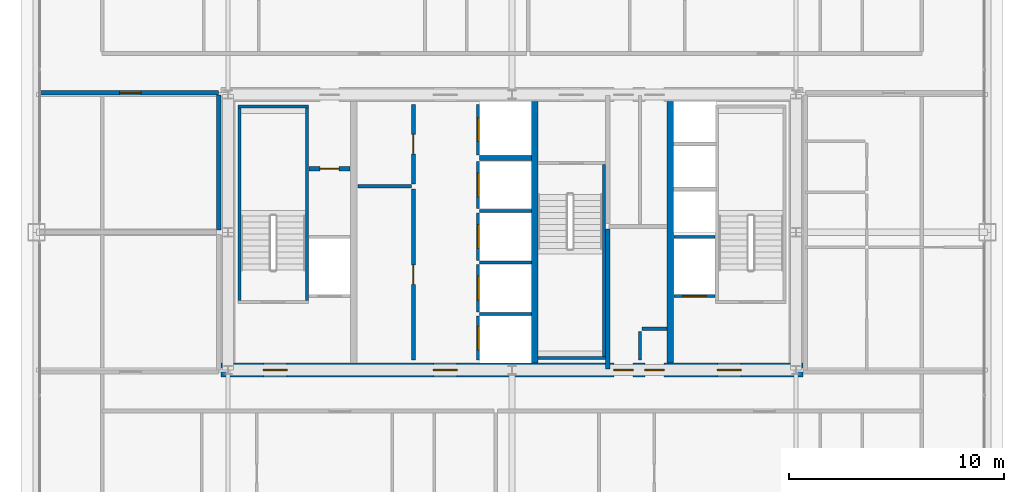
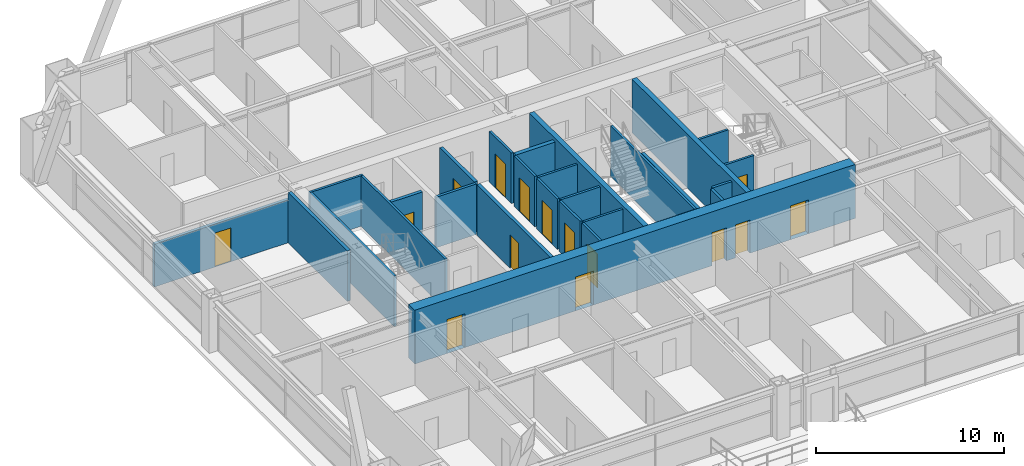
# One storey, part 41 of 45: 28 walls, 15 doors, 15 openings.
"""IFC4 building model written with IfcOpenShell, lengths in metres."""

from ifc_helpers import new_model, si_unit, direction, frame, frame_2d, origin, place, context, subcontext, project, spatial, rectangle, extrude, source, transform, mapped, material, layer, layer_set, type_object, element, fill, save


model = new_model("IFC4")

# Units and contexts
model_context = context("Model", 3, precision=1e-05, world=origin(), true_north=direction((0.0, 1.0)))
body_context = subcontext(model_context, "Body", "Model", "MODEL_VIEW")
ifc_project = project(units=[si_unit("LENGTHUNIT", "METRE"), si_unit("AREAUNIT", "SQUARE_METRE"), si_unit("VOLUMEUNIT", "CUBIC_METRE"), si_unit("PLANEANGLEUNIT", "RADIAN"), si_unit("MASSUNIT", "GRAM", prefix="KILO"), si_unit("THERMODYNAMICTEMPERATUREUNIT", "KELVIN"), si_unit("POWERUNIT", "WATT")], contexts=[model_context])

# Site, building, storey
site_placement = place(None, origin())
site = spatial("IfcSite", under=ifc_project, at=site_placement, CompositionType="ELEMENT")
building_placement = place(site_placement, origin())
building = spatial("IfcBuilding", under=site, at=building_placement, Name="Yuzanri Waterfront Tower", CompositionType="ELEMENT")
storey_placement = place(building_placement, frame((0.0, 0.0, 198.5)))
storey = spatial("IfcBuildingStorey", under=building, at=storey_placement, Name="L52", CompositionType="ELEMENT", Elevation=198.5)

# Wall, openings, doors
ifc_material_1 = material(Name="Concrete C50", Category="concrete")
ifc_layer_1 = layer(ifc_material_1, 0.64990234375)
ifc_layer_set_1 = layer_set([ifc_layer_1], Name="Concrete C50")
wall_type_1 = type_object("IfcWallType", Name="Concrete C50 Mid Zone Core Shear Wall 650", PredefinedType="SHEAR", material=ifc_layer_set_1)
wall_1_placement = place(storey_placement, frame((23.47509765625, 19.39990234375, 0.0), z_axis=(0.0, 0.0, 1.0), x_axis=(1.0, 0.0, 0.0)))
wall_1 = element("IfcWall", 1, at=wall_1_placement, inside=storey, type_object=wall_type_1, Name="L52 Core South Shear Wall", PredefinedType="SHEAR", context=body_context, shape_type="SweptSolid", body=[
    extrude(rectangle(XDim=27.0498046875, YDim=0.64990234375, at=frame_2d((13.52490234375, 0.0))), origin(), (0.0, 0.0, 1.0), 3.5),
])
opening_1_placement = place(wall_1_placement, frame((1.97509765625, 0.0, 0.0)))
opening_1 = element("IfcOpeningElement", 2, at=opening_1_placement, cuts=wall_1, Name="Opening FD-1100", PredefinedType="OPENING", context=body_context, shape_type="SweptSolid", body=[
    extrude(rectangle(XDim=1.10009765625, YDim=2.199951171875, at=frame_2d((0.550048828125, 1.10009765625))), frame((0.0, 0.33984375, 0.0), z_axis=(0.0, -1.0, 0.0), x_axis=(1.0, 0.0, 0.0)), (0.0, 0.0, 1.0), 0.6796875),
])
opening_2_placement = place(wall_1_placement, frame((9.875, 0.0, 0.0)))
opening_2 = element("IfcOpeningElement", 3, at=opening_2_placement, cuts=wall_1, Name="Opening FD-1100", PredefinedType="OPENING", context=body_context, shape_type="SweptSolid", body=[
    extrude(rectangle(XDim=1.10009765625, YDim=2.199951171875, at=frame_2d((0.550048828125, 1.10009765625))), frame((0.0, 0.33984375, 0.0), z_axis=(0.0, -1.0, 0.0), x_axis=(1.0, 0.0, 0.0)), (0.0, 0.0, 1.0), 0.6796875),
])
opening_3_placement = place(wall_1_placement, frame((23.074951171875, 0.0, 0.0)))
opening_3 = element("IfcOpeningElement", 4, at=opening_3_placement, cuts=wall_1, Name="Opening FD-1100", PredefinedType="OPENING", context=body_context, shape_type="SweptSolid", body=[
    extrude(rectangle(XDim=1.10009765625, YDim=2.199951171875, at=frame_2d((0.550048828125, 1.10009765625))), frame((0.0, 0.33984375, 0.0), z_axis=(0.0, -1.0, 0.0), x_axis=(1.0, 0.0, 0.0)), (0.0, 0.0, 1.0), 0.6796875),
])
opening_4_placement = place(wall_1_placement, frame((19.695068359375, 0.0, 0.0)))
opening_4 = element("IfcOpeningElement", 5, at=opening_4_placement, cuts=wall_1, Name="Opening FD-0900", PredefinedType="OPENING", context=body_context, shape_type="SweptSolid", body=[
    extrude(rectangle(XDim=0.89990234375, YDim=2.14990234375, at=frame_2d((0.449951171875, 1.074951171875))), frame((0.0, 0.33984375, 0.0), z_axis=(0.0, -1.0, 0.0), x_axis=(1.0, 0.0, 0.0)), (0.0, 0.0, 1.0), 0.6796875),
])
opening_5_placement = place(wall_1_placement, frame((18.2548828125, 0.0, 0.0)))
opening_5 = element("IfcOpeningElement", 6, at=opening_5_placement, cuts=wall_1, Name="Opening FD-0900", PredefinedType="OPENING", context=body_context, shape_type="SweptSolid", body=[
    extrude(rectangle(XDim=0.89990234375, YDim=2.14990234375, at=frame_2d((0.449951171875, 1.074951171875))), frame((0.0, 0.33984375, 0.0), z_axis=(0.0, -1.0, 0.0), x_axis=(1.0, 0.0, 0.0)), (0.0, 0.0, 1.0), 0.6796875),
])
ifc_material_2 = material(Name="Painted Galvanized Fire Steel", Category="steel")
door_type_1 = type_object("IfcDoorType", Name="Smoke-Proof Stair and Lobby Fire Door 1100x2200", OperationType="NOTDEFINED", PredefinedType="DOOR", material=ifc_material_2)
shared_shape_1 = source(origin(), body_context, "Body", "SweptSolid", [
    extrude(rectangle(XDim=1.10009765625, YDim=2.199951171875, at=frame_2d((0.550048828125, 1.10009765625))), frame((0.0, 0.02490234375, 0.0), z_axis=(0.0, -1.0, 0.0), x_axis=(1.0, 0.0, 0.0)), (0.0, 0.0, 1.0), 0.050048828125),
])
door_1_placement = place(opening_1_placement, origin())
door_1 = element("IfcDoor", 7, at=door_1_placement, inside=storey, type_object=door_type_1, Name="L52 West Firefighting Lobby Door", OperationType="SINGLE_SWING_LEFT", OverallHeight=2.199951171875, OverallWidth=1.10009765625, PredefinedType="DOOR", context=body_context, shape_type="MappedRepresentation", body=[
    mapped(shared_shape_1, transform((0.0, 0.0, 0.0), scale=1.0)),
])
fill(opening_1, door_1)
door_2_placement = place(opening_2_placement, origin())
door_2 = element("IfcDoor", 8, at=door_2_placement, inside=storey, type_object=door_type_1, Name="L52 Central Lift Lobby South Door", OperationType="SINGLE_SWING_RIGHT", OverallHeight=2.199951171875, OverallWidth=1.10009765625, PredefinedType="DOOR", context=body_context, shape_type="MappedRepresentation", body=[
    mapped(shared_shape_1, transform((0.0, 0.0, 0.0), scale=1.0)),
])
fill(opening_2, door_2)
door_3_placement = place(opening_3_placement, origin())
door_3 = element("IfcDoor", 9, at=door_3_placement, inside=storey, type_object=door_type_1, Name="L52 East Firefighting Lobby Door", OperationType="SINGLE_SWING_LEFT", OverallHeight=2.199951171875, OverallWidth=1.10009765625, PredefinedType="DOOR", context=body_context, shape_type="MappedRepresentation", body=[
    mapped(shared_shape_1, transform((0.0, 0.0, 0.0), scale=1.0)),
])
fill(opening_3, door_3)
ifc_material_3 = material(Name="Painted Galvanized Fire Steel", Category="steel")
door_type_2 = type_object("IfcDoorType", Name="Riser and Service Room Fire Door 900x2150", OperationType="NOTDEFINED", PredefinedType="DOOR", material=ifc_material_3)
shared_shape_2 = source(origin(), body_context, "Body", "SweptSolid", [
    extrude(rectangle(XDim=0.89990234375, YDim=2.14990234375, at=frame_2d((0.449951171875, 1.074951171875))), frame((0.0, 0.02490234375, 0.0), z_axis=(0.0, -1.0, 0.0), x_axis=(1.0, 0.0, 0.0)), (0.0, 0.0, 1.0), 0.050048828125),
])
door_4_placement = place(opening_4_placement, origin())
door_4 = element("IfcDoor", 10, at=door_4_placement, inside=storey, type_object=door_type_2, Name="L52 East Wet Riser Door", OperationType="SINGLE_SWING_RIGHT", OverallHeight=2.14990234375, OverallWidth=0.89990234375, PredefinedType="DOOR", context=body_context, shape_type="MappedRepresentation", body=[
    mapped(shared_shape_2, transform((0.0, 0.0, 0.0), scale=1.0)),
])
fill(opening_4, door_4)
door_5_placement = place(opening_5_placement, origin())
door_5 = element("IfcDoor", 11, at=door_5_placement, inside=storey, type_object=door_type_2, Name="L52 Cleaners Store Room", OperationType="SINGLE_SWING_LEFT", OverallHeight=2.14990234375, OverallWidth=0.89990234375, PredefinedType="DOOR", context=body_context, shape_type="MappedRepresentation", body=[
    mapped(shared_shape_2, transform((0.0, 0.0, 0.0), scale=1.0)),
])
fill(opening_5, door_5)

# Wall, opening, door
ifc_material_4 = material(Name="Concrete C40", Category="concrete")
ifc_layer_2 = layer(ifc_material_4, 0.139892578125)
ifc_layer_set_2 = layer_set([ifc_layer_2], Name="Concrete C40")
wall_type_2 = type_object("IfcWallType", Name="Core Stair Liner and Hoistway Shaft Wall 140", PredefinedType="SOLIDWALL", material=ifc_layer_set_2)
wall_2_placement = place(storey_placement, frame((44.52001953125, 22.830078125, 0.0), z_axis=(0.0, 0.0, 1.0), x_axis=(1.0, 0.0, 0.0)))
wall_2 = element("IfcWall", 12, at=wall_2_placement, inside=storey, type_object=wall_type_2, Name="L52 Lift FL-02 Front Shaft Wall", PredefinedType="SOLIDWALL", context=body_context, shape_type="SweptSolid", body=[
    extrude(rectangle(XDim=1.919921875, YDim=0.139892578125, at=frame_2d((0.9599609375, 0.0))), origin(), (0.0, 0.0, 1.0), 3.280029296875),
])
opening_6_placement = place(wall_2_placement, frame((0.409912109375, 0.0, 0.0)))
opening_6 = element("IfcOpeningElement", 13, at=opening_6_placement, cuts=wall_2, Name="Opening LD-FL-02", PredefinedType="OPENING", context=body_context, shape_type="SweptSolid", body=[
    extrude(rectangle(XDim=1.10009765625, YDim=2.199951171875, at=frame_2d((0.550048828125, 1.10009765625))), frame((0.0, 0.0849609375, 0.0), z_axis=(0.0, -1.0, 0.0), x_axis=(1.0, 0.0, 0.0)), (0.0, 0.0, 1.0), 0.169677734375),
])
ifc_material_5 = material(Name="Brushed Bronze and Stainless Steel Cab", Category="steel")
door_type_3 = type_object("IfcDoorType", Name="Center-Parting Bronze Lift Landing Sliding Door 1100x2200", OperationType="NOTDEFINED", PredefinedType="DOOR", material=ifc_material_5)
shared_shape_3 = source(origin(), body_context, "Body", "SweptSolid", [
    extrude(rectangle(XDim=1.10009765625, YDim=2.199951171875, at=frame_2d((0.550048828125, 1.10009765625))), frame((0.0, 0.02490234375, 0.0), z_axis=(0.0, -1.0, 0.0), x_axis=(1.0, 0.0, 0.0)), (0.0, 0.0, 1.0), 0.050048828125),
])
door_6_placement = place(opening_6_placement, origin())
door_6 = element("IfcDoor", 14, at=door_6_placement, inside=storey, type_object=door_type_3, Name="L52 FL-02 Lift Landing Sliding Door", OperationType="SLIDING_TO_RIGHT", OverallHeight=2.199951171875, OverallWidth=1.10009765625, PredefinedType="DOOR", context=body_context, shape_type="MappedRepresentation", body=[
    mapped(shared_shape_3, transform((0.0, 0.0, 0.0), scale=1.0)),
])
fill(opening_6, door_6)

wall_3_placement = place(storey_placement, frame((35.429931640625, 19.860107421875, 0.0), z_axis=(0.0, 0.0, 1.0), x_axis=(0.0, 1.0, 0.0)))
wall_3 = element("IfcWall", 15, at=wall_3_placement, inside=storey, type_object=wall_type_2, Name="L52 Lift PL-05 Front Shaft Wall", PredefinedType="SOLIDWALL", context=body_context, shape_type="SweptSolid", body=[
    extrude(rectangle(XDim=2.039794921875, YDim=0.139892578125, at=frame_2d((1.02001953125, 0.0))), origin(), (0.0, 0.0, 1.0), 3.280029296875),
])
opening_7_placement = place(wall_3_placement, frame((0.469970703125, 0.0, 0.0)))
opening_7 = element("IfcOpeningElement", 16, at=opening_7_placement, cuts=wall_3, Name="Opening LD-PL-05", PredefinedType="OPENING", context=body_context, shape_type="SweptSolid", body=[
    extrude(rectangle(XDim=1.10009765625, YDim=2.199951171875, at=frame_2d((0.550048828125, 1.10009765625))), frame((0.0, 0.0849609375, 0.0), z_axis=(0.0, -1.0, 0.0), x_axis=(1.0, 0.0, 0.0)), (0.0, 0.0, 1.0), 0.169677734375),
])
door_7_placement = place(opening_7_placement, origin())
door_7 = element("IfcDoor", 17, at=door_7_placement, inside=storey, type_object=door_type_3, Name="L52 PL-05 Lift Landing Sliding Door", OperationType="SLIDING_TO_RIGHT", OverallHeight=2.199951171875, OverallWidth=1.10009765625, PredefinedType="DOOR", context=body_context, shape_type="MappedRepresentation", body=[
    mapped(shared_shape_3, transform((0.0, 0.0, 0.0), scale=1.0)),
])
fill(opening_7, door_7)

wall_4_placement = place(storey_placement, frame((35.429931640625, 22.10009765625, 0.0), z_axis=(0.0, 0.0, 1.0), x_axis=(0.0, 1.0, 0.0)))
wall_4 = element("IfcWall", 18, at=wall_4_placement, inside=storey, type_object=wall_type_2, Name="L52 Lift PL-06 Front Shaft Wall", PredefinedType="SOLIDWALL", context=body_context, shape_type="SweptSolid", body=[
    extrude(rectangle(XDim=2.199951171875, YDim=0.139892578125, at=frame_2d((1.10009765625, 0.0))), origin(), (0.0, 0.0, 1.0), 3.280029296875),
])
opening_8_placement = place(wall_4_placement, frame((0.550048828125, 0.0, 0.0)))
opening_8 = element("IfcOpeningElement", 19, at=opening_8_placement, cuts=wall_4, Name="Opening LD-PL-06", PredefinedType="OPENING", context=body_context, shape_type="SweptSolid", body=[
    extrude(rectangle(XDim=1.10009765625, YDim=2.199951171875, at=frame_2d((0.550048828125, 1.10009765625))), frame((0.0, 0.0849609375, 0.0), z_axis=(0.0, -1.0, 0.0), x_axis=(1.0, 0.0, 0.0)), (0.0, 0.0, 1.0), 0.169677734375),
])
door_8_placement = place(opening_8_placement, origin())
door_8 = element("IfcDoor", 20, at=door_8_placement, inside=storey, type_object=door_type_3, Name="L52 PL-06 Lift Landing Sliding Door", OperationType="SLIDING_TO_LEFT", OverallHeight=2.199951171875, OverallWidth=1.10009765625, PredefinedType="DOOR", context=body_context, shape_type="MappedRepresentation", body=[
    mapped(shared_shape_3, transform((0.0, 0.0, 0.0), scale=1.0)),
])
fill(opening_8, door_8)

wall_5_placement = place(storey_placement, frame((35.429931640625, 24.5, 0.0), z_axis=(0.0, 0.0, 1.0), x_axis=(0.0, 1.0, 0.0)))
wall_5 = element("IfcWall", 21, at=wall_5_placement, inside=storey, type_object=wall_type_2, Name="L52 Lift PL-07 Front Shaft Wall", PredefinedType="SOLIDWALL", context=body_context, shape_type="SweptSolid", body=[
    extrude(rectangle(XDim=2.199951171875, YDim=0.139892578125, at=frame_2d((1.10009765625, 0.0))), origin(), (0.0, 0.0, 1.0), 3.280029296875),
])
opening_9_placement = place(wall_5_placement, frame((0.550048828125, 0.0, 0.0)))
opening_9 = element("IfcOpeningElement", 22, at=opening_9_placement, cuts=wall_5, Name="Opening LD-PL-07", PredefinedType="OPENING", context=body_context, shape_type="SweptSolid", body=[
    extrude(rectangle(XDim=1.10009765625, YDim=2.199951171875, at=frame_2d((0.550048828125, 1.10009765625))), frame((0.0, 0.0849609375, 0.0), z_axis=(0.0, -1.0, 0.0), x_axis=(1.0, 0.0, 0.0)), (0.0, 0.0, 1.0), 0.169677734375),
])
door_9_placement = place(opening_9_placement, origin())
door_9 = element("IfcDoor", 23, at=door_9_placement, inside=storey, type_object=door_type_3, Name="L52 PL-07 Lift Landing Sliding Door", OperationType="SLIDING_TO_RIGHT", OverallHeight=2.199951171875, OverallWidth=1.10009765625, PredefinedType="DOOR", context=body_context, shape_type="MappedRepresentation", body=[
    mapped(shared_shape_3, transform((0.0, 0.0, 0.0), scale=1.0)),
])
fill(opening_9, door_9)

wall_6_placement = place(storey_placement, frame((35.429931640625, 26.89990234375, 0.0), z_axis=(0.0, 0.0, 1.0), x_axis=(0.0, 1.0, 0.0)))
wall_6 = element("IfcWall", 24, at=wall_6_placement, inside=storey, type_object=wall_type_2, Name="L52 Lift PL-08 Front Shaft Wall", PredefinedType="SOLIDWALL", context=body_context, shape_type="SweptSolid", body=[
    extrude(rectangle(XDim=2.2001953125, YDim=0.139892578125, at=frame_2d((1.10009765625, 0.0))), origin(), (0.0, 0.0, 1.0), 3.280029296875),
])
opening_10_placement = place(wall_6_placement, frame((0.550048828125, 0.0, 0.0)))
opening_10 = element("IfcOpeningElement", 25, at=opening_10_placement, cuts=wall_6, Name="Opening LD-PL-08", PredefinedType="OPENING", context=body_context, shape_type="SweptSolid", body=[
    extrude(rectangle(XDim=1.10009765625, YDim=2.199951171875, at=frame_2d((0.550048828125, 1.10009765625))), frame((0.0, 0.0849609375, 0.0), z_axis=(0.0, -1.0, 0.0), x_axis=(1.0, 0.0, 0.0)), (0.0, 0.0, 1.0), 0.169677734375),
])
door_10_placement = place(opening_10_placement, origin())
door_10 = element("IfcDoor", 26, at=door_10_placement, inside=storey, type_object=door_type_3, Name="L52 PL-08 Lift Landing Sliding Door", OperationType="SLIDING_TO_LEFT", OverallHeight=2.199951171875, OverallWidth=1.10009765625, PredefinedType="DOOR", context=body_context, shape_type="MappedRepresentation", body=[
    mapped(shared_shape_3, transform((0.0, 0.0, 0.0), scale=1.0)),
])
fill(opening_10, door_10)

wall_7_placement = place(storey_placement, frame((35.429931640625, 29.39990234375, 0.0), z_axis=(0.0, 0.0, 1.0), x_axis=(0.0, 1.0, 0.0)))
wall_7 = element("IfcWall", 27, at=wall_7_placement, inside=storey, type_object=wall_type_2, Name="L52 Lift SL-02 Front Shaft Wall", PredefinedType="SOLIDWALL", context=body_context, shape_type="SweptSolid", body=[
    extrude(rectangle(XDim=2.340087890625, YDim=0.139892578125, at=frame_2d((1.169921875, 0.0))), origin(), (0.0, 0.0, 1.0), 3.280029296875),
])
opening_11_placement = place(wall_7_placement, frame((0.6201171875, 0.0, 0.0)))
opening_11 = element("IfcOpeningElement", 28, at=opening_11_placement, cuts=wall_7, Name="Opening LD-SL-02", PredefinedType="OPENING", context=body_context, shape_type="SweptSolid", body=[
    extrude(rectangle(XDim=1.10009765625, YDim=2.199951171875, at=frame_2d((0.550048828125, 1.10009765625))), frame((0.0, 0.0849609375, 0.0), z_axis=(0.0, -1.0, 0.0), x_axis=(1.0, 0.0, 0.0)), (0.0, 0.0, 1.0), 0.169677734375),
])
door_11_placement = place(opening_11_placement, origin())
door_11 = element("IfcDoor", 29, at=door_11_placement, inside=storey, type_object=door_type_3, Name="L52 SL-02 Lift Landing Sliding Door", OperationType="SLIDING_TO_RIGHT", OverallHeight=2.199951171875, OverallWidth=1.10009765625, PredefinedType="DOOR", context=body_context, shape_type="MappedRepresentation", body=[
    mapped(shared_shape_3, transform((0.0, 0.0, 0.0), scale=1.0)),
])
fill(opening_11, door_11)

ifc_material_6 = material(Name="Autoclaved Aerated Concrete Blockwork", Category="masonry")
ifc_layer_3 = layer(ifc_material_6, 0.199951171875)
ifc_layer_set_3 = layer_set([ifc_layer_3], Name="Autoclaved Aerated Concrete Blockwork")
wall_type_3 = type_object("IfcWallType", Name="Corridor and Unit Party Fire Wall 200", PredefinedType="PARTITIONING", material=ifc_layer_set_3)
wall_8_placement = place(storey_placement, frame((27.56005859375, 28.75, 0.0), z_axis=(0.0, 0.0, 1.0), x_axis=(1.0, 0.0, 0.0)))
wall_8 = element("IfcWall", 30, at=wall_8_placement, inside=storey, type_object=wall_type_3, Name="L52 Partition CRW-L52-ERTR", PredefinedType="PARTITIONING", context=body_context, shape_type="SweptSolid", body=[
    extrude(rectangle(XDim=1.919921875, YDim=0.199951171875, at=frame_2d((0.9599609375, 0.0))), origin(), (0.0, 0.0, 1.0), 3.280029296875),
])
opening_12_placement = place(wall_8_placement, frame((0.510009765625, 0.0, 0.0)))
opening_12 = element("IfcOpeningElement", 31, at=opening_12_placement, cuts=wall_8, Name="Opening FD-0900", PredefinedType="OPENING", context=body_context, shape_type="SweptSolid", body=[
    extrude(rectangle(XDim=0.89990234375, YDim=2.14990234375, at=frame_2d((0.449951171875, 1.074951171875))), frame((0.0, 0.11474609375, 0.0), z_axis=(0.0, -1.0, 0.0), x_axis=(1.0, 0.0, 0.0)), (0.0, 0.0, 1.0), 0.229736328125),
])
door_12_placement = place(opening_12_placement, origin())
door_12 = element("IfcDoor", 32, at=door_12_placement, inside=storey, type_object=door_type_2, Name="L52 Electrical Riser Door", OperationType="SINGLE_SWING_LEFT", OverallHeight=2.14990234375, OverallWidth=0.89990234375, PredefinedType="DOOR", context=body_context, shape_type="MappedRepresentation", body=[
    mapped(shared_shape_2, transform((0.0, 0.0, 0.0), scale=1.0)),
])
fill(opening_12, door_12)

wall_9_placement = place(storey_placement, frame((32.419921875, 19.860107421875, 0.0), z_axis=(0.0, 0.0, 1.0), x_axis=(0.0, 1.0, 0.0)))
wall_9 = element("IfcWall", 33, at=wall_9_placement, inside=storey, type_object=wall_type_3, Name="L52 Partition CRW-L52-B1R-1", PredefinedType="PARTITIONING", context=body_context, shape_type="SweptSolid", body=[
    extrude(rectangle(XDim=7.93994140625, YDim=0.199951171875, at=frame_2d((3.969970703125, 0.0))), origin(), (0.0, 0.0, 1.0), 3.280029296875),
])
opening_13_placement = place(wall_9_placement, frame((3.52001953125, 0.0, 0.0)))
opening_13 = element("IfcOpeningElement", 34, at=opening_13_placement, cuts=wall_9, Name="Opening FD-0900", PredefinedType="OPENING", context=body_context, shape_type="SweptSolid", body=[
    extrude(rectangle(XDim=0.89990234375, YDim=2.14990234375, at=frame_2d((0.449951171875, 1.074951171875))), frame((0.0, 0.11474609375, 0.0), z_axis=(0.0, -1.0, 0.0), x_axis=(1.0, 0.0, 0.0)), (0.0, 0.0, 1.0), 0.229736328125),
])
door_13_placement = place(opening_13_placement, origin())
door_13 = element("IfcDoor", 35, at=door_13_placement, inside=storey, type_object=door_type_2, Name="L52 General Store Room", OperationType="SINGLE_SWING_RIGHT", OverallHeight=2.14990234375, OverallWidth=0.89990234375, PredefinedType="DOOR", context=body_context, shape_type="MappedRepresentation", body=[
    mapped(shared_shape_2, transform((0.0, 0.0, 0.0), scale=1.0)),
])
fill(opening_13, door_13)

wall_10_placement = place(storey_placement, frame((32.419921875, 28.050048828125, 0.0), z_axis=(0.0, 0.0, 1.0), x_axis=(0.0, 1.0, 0.0)))
wall_10 = element("IfcWall", 36, at=wall_10_placement, inside=storey, type_object=wall_type_3, Name="L52 Partition CRW-L52-B1R-2", PredefinedType="PARTITIONING", context=body_context, shape_type="SweptSolid", body=[
    extrude(rectangle(XDim=3.68994140625, YDim=0.199951171875, at=frame_2d((1.844970703125, 0.0))), origin(), (0.0, 0.0, 1.0), 3.280029296875),
])
opening_14_placement = place(wall_10_placement, frame((1.39501953125, 0.0, 0.0)))
opening_14 = element("IfcOpeningElement", 37, at=opening_14_placement, cuts=wall_10, Name="Opening FD-0900", PredefinedType="OPENING", context=body_context, shape_type="SweptSolid", body=[
    extrude(rectangle(XDim=0.89990234375, YDim=2.14990234375, at=frame_2d((0.449951171875, 1.074951171875))), frame((0.0, 0.11474609375, 0.0), z_axis=(0.0, -1.0, 0.0), x_axis=(1.0, 0.0, 0.0)), (0.0, 0.0, 1.0), 0.229736328125),
])
door_14_placement = place(opening_14_placement, origin())
door_14 = element("IfcDoor", 38, at=door_14_placement, inside=storey, type_object=door_type_2, Name="L52 Water Riser Shaft", OperationType="SINGLE_SWING_LEFT", OverallHeight=2.14990234375, OverallWidth=0.89990234375, PredefinedType="DOOR", context=body_context, shape_type="MappedRepresentation", body=[
    mapped(shared_shape_2, transform((0.0, 0.0, 0.0), scale=1.0)),
])
fill(opening_14, door_14)

wall_11_placement = place(storey_placement, frame((15.050048828125, 32.2900390625, 0.0), z_axis=(0.0, 0.0, 1.0), x_axis=(1.0, 0.0, 0.0)))
wall_11 = element("IfcWall", 39, at=wall_11_placement, inside=storey, type_object=wall_type_3, Name="L52 Partition UW-L52-051-CN", PredefinedType="PARTITIONING", context=body_context, shape_type="SweptSolid", body=[
    extrude(rectangle(XDim=8.300048828125, YDim=0.199951171875, at=frame_2d((4.14990234375, 0.0))), origin(), (0.0, 0.0, 1.0), 2.77490234375),
])
opening_15_placement = place(wall_11_placement, frame((3.715087890625, 0.0, 0.0)))
opening_15 = element("IfcOpeningElement", 40, at=opening_15_placement, cuts=wall_11, Name="Opening FD-1000", PredefinedType="OPENING", context=body_context, shape_type="SweptSolid", body=[
    extrude(rectangle(XDim=1.0, YDim=2.199951171875, at=frame_2d((0.5, 1.10009765625))), frame((0.0, 0.11474609375, 0.0), z_axis=(0.0, -1.0, 0.0), x_axis=(1.0, 0.0, 0.0)), (0.0, 0.0, 1.0), 0.229736328125),
])
ifc_material_7 = material(Name="Engineered Oak Fire-Rated Timber", Category="wood")
door_type_4 = type_object("IfcDoorType", Name="Guestroom and Apartment Entrance Fire Door 1000x2200", OperationType="NOTDEFINED", PredefinedType="DOOR", material=ifc_material_7)
shared_shape_4 = source(origin(), body_context, "Body", "SweptSolid", [
    extrude(rectangle(XDim=1.0, YDim=2.199951171875, at=frame_2d((0.5, 1.10009765625))), frame((0.0, 0.02490234375, 0.0), z_axis=(0.0, -1.0, 0.0), x_axis=(1.0, 0.0, 0.0)), (0.0, 0.0, 1.0), 0.050048828125),
])
door_15_placement = place(opening_15_placement, origin())
door_15 = element("IfcDoor", 41, at=door_15_placement, inside=storey, type_object=door_type_4, Name="L52 Residents W Library Reading Room Entrance Door", OperationType="SINGLE_SWING_LEFT", OverallHeight=2.199951171875, OverallWidth=1.0, PredefinedType="DOOR", context=body_context, shape_type="MappedRepresentation", body=[
    mapped(shared_shape_4, transform((0.0, 0.0, 0.0), scale=1.0)),
])
fill(opening_15, door_15)

# Walls
ifc_material_8 = material(Name="Concrete C50", Category="concrete")
ifc_layer_4 = layer(ifc_material_8, 0.300048828125)
ifc_layer_set_4 = layer_set([ifc_layer_4], Name="Concrete C50")
wall_type_4 = type_object("IfcWallType", Name="Concrete C50 Internal Core Shaft Structural Wall 300", PredefinedType="SOLIDWALL", material=ifc_layer_set_4)
shared_shape_5 = source(origin(), body_context, "Body", "SweptSolid", [
    extrude(rectangle(XDim=12.14990234375, YDim=0.300048828125, at=frame_2d((6.074951171875, 0.0))), origin(), (0.0, 0.0, 1.0), 3.5),
])
for number, where, z_axis, x_axis, name in (
    (42, (38.050048828125, 19.72509765625, 0.0), (0.0, 0.0, 1.0), (0.0, 1.0, 0.0), "L52 Core Internal Structural Web Wall 2"),
    (43, (44.35009765625, 19.72509765625, 0.0), (0.0, 0.0, 1.0), (0.0, 1.0, 0.0), "L52 Core Internal Structural Web Wall 3"),
):
    element("IfcWall", number, at=place(storey_placement, frame(where, z_axis=z_axis, x_axis=x_axis)), inside=storey, type_object=wall_type_4, Name=name, PredefinedType="SOLIDWALL", context=body_context, shape_type="MappedRepresentation", body=[
        mapped(shared_shape_5, transform((0.0, 0.0, 0.0), scale=1.0)),
    ])
shared_shape_6 = source(origin(), body_context, "Body", "SweptSolid", [
    extrude(rectangle(XDim=1.919921875, YDim=0.139892578125, at=frame_2d((0.9599609375, 0.0))), origin(), (0.0, 0.0, 1.0), 3.280029296875),
])
wall_12_placement = place(storey_placement, frame((44.52001953125, 25.570068359375, 0.0), z_axis=(0.0, 0.0, 1.0), x_axis=(1.0, 0.0, 0.0)))
element("IfcWall", 44, at=wall_12_placement, inside=storey, type_object=wall_type_2, Name="L52 Lift FL-02 Back Shaft Wall", PredefinedType="SOLIDWALL", context=body_context, shape_type="MappedRepresentation", body=[
    mapped(shared_shape_6, transform((0.0, 0.0, 0.0), scale=1.0)),
])
shared_shape_7 = source(origin(), body_context, "Body", "SweptSolid", [
    extrude(rectangle(XDim=2.39990234375, YDim=0.139892578125, at=frame_2d((1.199951171875, 0.0))), origin(), (0.0, 0.0, 1.0), 3.280029296875),
])
for number, where, z_axis, x_axis, name in (
    (45, (35.5, 22.0, 0.0), (0.0, 0.0, 1.0), (1.0, 0.0, 0.0), "L52 Lift PL-05 Divider Wall"),
    (46, (35.5, 24.39990234375, 0.0), (0.0, 0.0, 1.0), (1.0, 0.0, 0.0), "L52 Lift PL-06 Divider Wall"),
    (47, (35.5, 26.800048828125, 0.0), (0.0, 0.0, 1.0), (1.0, 0.0, 0.0), "L52 Lift PL-07 Divider Wall"),
):
    element("IfcWall", number, at=place(storey_placement, frame(where, z_axis=z_axis, x_axis=x_axis)), inside=storey, type_object=wall_type_2, Name=name, PredefinedType="SOLIDWALL", context=body_context, shape_type="MappedRepresentation", body=[
        mapped(shared_shape_7, transform((0.0, 0.0, 0.0), scale=1.0)),
    ])
ifc_material_9 = material(Name="Concrete C40", Category="concrete")
ifc_layer_5 = layer(ifc_material_9, 0.25)
ifc_layer_set_5 = layer_set([ifc_layer_5], Name="Concrete C40")
wall_type_5 = type_object("IfcWallType", Name="Smoke-Proof Stair and Lift Shaft Wall 250", PredefinedType="SOLIDWALL", material=ifc_layer_set_5)
shared_shape_8 = source(origin(), body_context, "Body", "SweptSolid", [
    extrude(rectangle(XDim=2.39990234375, YDim=0.25, at=frame_2d((1.199951171875, 0.0))), origin(), (0.0, 0.0, 1.0), 3.280029296875),
])
wall_13_placement = place(storey_placement, frame((35.5, 29.25, 0.0), z_axis=(0.0, 0.0, 1.0), x_axis=(1.0, 0.0, 0.0)))
element("IfcWall", 48, at=wall_13_placement, inside=storey, type_object=wall_type_5, Name="L52 Lift SL-02 South Shaft Wall", PredefinedType="SOLIDWALL", context=body_context, shape_type="MappedRepresentation", body=[
    mapped(shared_shape_8, transform((0.0, 0.0, 0.0), scale=1.0)),
])
shared_shape_9 = source(origin(), body_context, "Body", "SweptSolid", [
    extrude(rectangle(XDim=3.280029296875, YDim=0.139892578125, at=frame_2d((1.64013671875, 0.0))), origin(), (0.0, 0.0, 1.0), 3.280029296875),
])
wall_14_placement = place(storey_placement, frame((24.260009765625, 31.64990234375, 0.0), z_axis=(0.0, 0.0, 1.0), x_axis=(1.0, 0.0, 0.0)))
element("IfcWall", 49, at=wall_14_placement, inside=storey, type_object=wall_type_2, Name="L52 Stair ST-01 North Shaft Wall", PredefinedType="SOLIDWALL", context=body_context, shape_type="MappedRepresentation", body=[
    mapped(shared_shape_9, transform((0.0, 0.0, 0.0), scale=1.0)),
])
shared_shape_10 = source(origin(), body_context, "Body", "SweptSolid", [
    extrude(rectangle(XDim=8.940185546875, YDim=0.139892578125, at=frame_2d((4.47021484375, 0.0))), origin(), (0.0, 0.0, 1.0), 3.280029296875),
])
for number, where, z_axis, x_axis, name in (
    (50, (24.330078125, 22.639892578125, 0.0), (0.0, 0.0, 1.0), (0.0, 1.0, 0.0), "L52 Stair ST-01 West Shaft Wall"),
    (51, (27.469970703125, 22.639892578125, 0.0), (0.0, 0.0, 1.0), (0.0, 1.0, 0.0), "L52 Stair ST-01 East Shaft Wall"),
):
    element("IfcWall", number, at=place(storey_placement, frame(where, z_axis=z_axis, x_axis=x_axis)), inside=storey, type_object=wall_type_2, Name=name, PredefinedType="SOLIDWALL", context=body_context, shape_type="MappedRepresentation", body=[
        mapped(shared_shape_10, transform((0.0, 0.0, 0.0), scale=1.0)),
    ])
shared_shape_11 = source(origin(), body_context, "Body", "SweptSolid", [
    extrude(rectangle(XDim=3.14013671875, YDim=0.139892578125, at=frame_2d((1.570068359375, 0.0))), origin(), (0.0, 0.0, 1.0), 3.280029296875),
])
wall_15_placement = place(storey_placement, frame((38.199951171875, 19.949951171875, 0.0), z_axis=(0.0, 0.0, 1.0), x_axis=(1.0, 0.0, 0.0)))
element("IfcWall", 52, at=wall_15_placement, inside=storey, type_object=wall_type_2, Name="L52 Stair ST-03 South Shaft Wall", PredefinedType="SOLIDWALL", context=body_context, shape_type="MappedRepresentation", body=[
    mapped(shared_shape_11, transform((0.0, 0.0, 0.0), scale=1.0)),
])
shared_shape_12 = source(origin(), body_context, "Body", "SweptSolid", [
    extrude(rectangle(XDim=8.93994140625, YDim=0.139892578125, at=frame_2d((4.469970703125, 0.0))), origin(), (0.0, 0.0, 1.0), 3.280029296875),
])
wall_16_placement = place(storey_placement, frame((41.27001953125, 20.02001953125, 0.0), z_axis=(0.0, 0.0, 1.0), x_axis=(0.0, 1.0, 0.0)))
element("IfcWall", 53, at=wall_16_placement, inside=storey, type_object=wall_type_2, Name="L52 Stair ST-03 East Shaft Wall", PredefinedType="SOLIDWALL", context=body_context, shape_type="MappedRepresentation", body=[
    mapped(shared_shape_12, transform((0.0, 0.0, 0.0), scale=1.0)),
])
ifc_material_10 = material(Name="Gypsum Fireboard Acoustic Stud Wall", Category="gypsum")
ifc_layer_6 = layer(ifc_material_10, 0.159912109375)
ifc_layer_set_6 = layer_set([ifc_layer_6], Name="Gypsum Fireboard Acoustic Stud Wall")
wall_type_6 = type_object("IfcWallType", Name="Acoustic Suite Demising Partition 160", PredefinedType="PARTITIONING", material=ifc_layer_set_6)
shared_shape_13 = source(origin(), body_context, "Body", "SweptSolid", [
    extrude(rectangle(XDim=2.469970703125, YDim=0.159912109375, at=frame_2d((1.23486328125, 0.0))), origin(), (0.0, 0.0, 1.0), 3.280029296875),
])
wall_17_placement = place(storey_placement, frame((29.85009765625, 27.929931640625, 0.0), z_axis=(0.0, 0.0, 1.0), x_axis=(1.0, 0.0, 0.0)))
element("IfcWall", 54, at=wall_17_placement, inside=storey, type_object=wall_type_6, Name="L52 Reclaimed Core Divider 2", PredefinedType="PARTITIONING", context=body_context, shape_type="MappedRepresentation", body=[
    mapped(shared_shape_13, transform((0.0, 0.0, 0.0), scale=1.0)),
])
shared_shape_14 = source(origin(), body_context, "Body", "SweptSolid", [
    extrude(rectangle(XDim=1.33984375, YDim=0.159912109375, at=frame_2d((0.669921875, 0.0))), origin(), (0.0, 0.0, 1.0), 3.280029296875),
])
wall_18_placement = place(storey_placement, frame((42.949951171875, 19.860107421875, 0.0), z_axis=(0.0, 0.0, 1.0), x_axis=(0.0, 1.0, 0.0)))
element("IfcWall", 55, at=wall_18_placement, inside=storey, type_object=wall_type_6, Name="L52 East Wet Riser West Wall", PredefinedType="PARTITIONING", context=body_context, shape_type="MappedRepresentation", body=[
    mapped(shared_shape_14, transform((0.0, 0.0, 0.0), scale=1.0)),
])
shared_shape_15 = source(origin(), body_context, "Body", "SweptSolid", [
    extrude(rectangle(XDim=1.169921875, YDim=0.159912109375, at=frame_2d((0.5849609375, 0.0))), origin(), (0.0, 0.0, 1.0), 3.280029296875),
])
wall_19_placement = place(storey_placement, frame((43.030029296875, 21.320068359375, 0.0), z_axis=(0.0, 0.0, 1.0), x_axis=(1.0, 0.0, 0.0)))
element("IfcWall", 56, at=wall_19_placement, inside=storey, type_object=wall_type_6, Name="L52 East Wet Riser North Wall", PredefinedType="PARTITIONING", context=body_context, shape_type="MappedRepresentation", body=[
    mapped(shared_shape_15, transform((0.0, 0.0, 0.0), scale=1.0)),
])
shared_shape_16 = source(origin(), body_context, "Body", "SweptSolid", [
    extrude(rectangle(XDim=6.510009765625, YDim=0.199951171875, at=frame_2d((3.2548828125, 0.0))), origin(), (0.0, 0.0, 1.0), 3.280029296875),
])
wall_20_placement = place(storey_placement, frame((41.449951171875, 19.43994140625, 0.0), z_axis=(0.0, 0.0, 1.0), x_axis=(0.0, 1.0, 0.0)))
element("IfcWall", 57, at=wall_20_placement, inside=storey, type_object=wall_type_3, Name="L52 Core BOH West Wall 1", PredefinedType="PARTITIONING", context=body_context, shape_type="MappedRepresentation", body=[
    mapped(shared_shape_16, transform((0.0, 0.0, 0.0), scale=1.0)),
])
shared_shape_17 = source(origin(), body_context, "Body", "SweptSolid", [
    extrude(rectangle(XDim=6.2900390625, YDim=0.199951171875, at=frame_2d((3.14501953125, 0.0))), origin(), (0.0, 0.0, 1.0), 3.280029296875),
])
wall_21_placement = place(storey_placement, frame((23.3701171875, 25.89990234375, 0.0), z_axis=(0.0, 0.0, 1.0), x_axis=(0.0, 1.0, 0.0)))
element("IfcWall", 58, at=wall_21_placement, inside=storey, type_object=wall_type_3, Name="L52-051 Wing Inner Core-Side Wall", PredefinedType="PARTITIONING", context=body_context, shape_type="MappedRepresentation", body=[
    mapped(shared_shape_17, transform((0.0, 0.0, 0.0), scale=1.0)),
])

save(model, "model.ifc")
